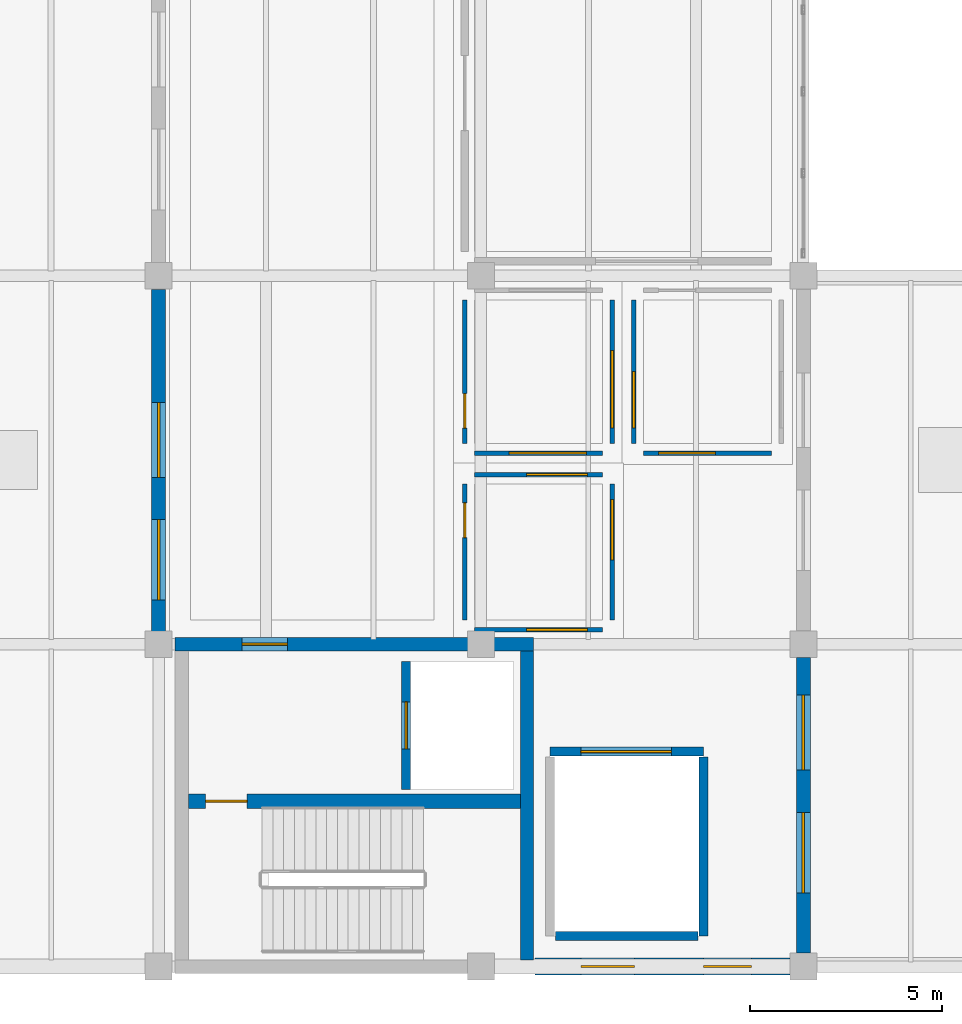
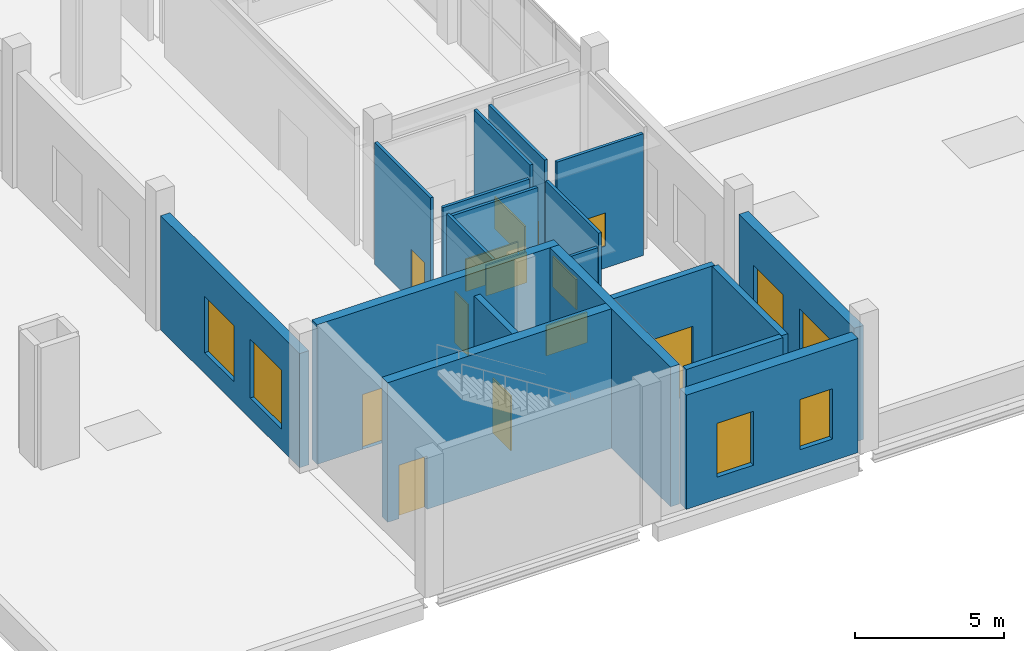
# One storey, part 40 of 49: 19 walls, 13 windows, 6 doors, 19 openings.
"""IFC4 building model written with IfcOpenShell, lengths in metres."""

from ifc_helpers import new_model, si_unit, direction, frame, frame_2d, origin, place, context, subcontext, project, spatial, rectangle, extrude, material, layer, layer_set, type_object, element, fill, save


model = new_model("IFC4")

# Units and contexts
model_context = context("Model", 3, precision=1e-05, world=origin(), true_north=direction((0.0, 1.0)))
body_context = subcontext(model_context, "Body", "Model", "MODEL_VIEW")
ifc_project = project(units=[si_unit("LENGTHUNIT", "METRE"), si_unit("AREAUNIT", "SQUARE_METRE"), si_unit("VOLUMEUNIT", "CUBIC_METRE"), si_unit("PLANEANGLEUNIT", "RADIAN"), si_unit("MASSUNIT", "GRAM", prefix="KILO")], contexts=[model_context])

# Site, building, storey
site_placement = place(None, origin())
site = spatial("IfcSite", under=ifc_project, at=site_placement, CompositionType="ELEMENT")
building_placement = place(site_placement, origin())
building = spatial("IfcBuilding", under=site, at=building_placement, Name="Zulmaris Art Gallery", CompositionType="ELEMENT")
storey_placement = place(building_placement, frame((0.0, 0.0, 20.699951171875)))
storey = spatial("IfcBuildingStorey", under=building, at=storey_placement, Name="L04", CompositionType="ELEMENT", Elevation=20.699951171875)

# Wall, openings, windows
ifc_material_1 = material(Name="Omani Cream Limestone Ashlar Masonry", Category="masonry")
ifc_layer_1 = layer(ifc_material_1, 0.43994140625)
ifc_layer_set_1 = layer_set([ifc_layer_1], Name="Omani Cream Limestone Ashlar Masonry")
wall_type_1 = type_object("IfcWallType", Name="ENV-WALL-EW01", PredefinedType="SOLIDWALL", material=ifc_layer_set_1)
wall_1_placement = place(storey_placement, frame((151.412109375, 13.199951171875, 0.0), z_axis=(0.0, 0.0, 1.0), x_axis=(1.0, 0.0, 0.0)))
wall_1 = element("IfcWall", 1, at=wall_1_placement, inside=storey, type_object=wall_type_1, Name="L04 V5 South Facade Bay 1", PredefinedType="SOLIDWALL", context=body_context, shape_type="SweptSolid", body=[
    extrude(rectangle(XDim=6.635986328125, YDim=0.43994140625, at=frame_2d((3.31787109375, 0.0))), origin(), (0.0, 0.0, 1.0), 4.66015625),
])
opening_1_placement = place(wall_1_placement, frame((1.18798828125, 0.0, 0.89990234375)))
opening_1 = element("IfcOpeningElement", 2, at=opening_1_placement, cuts=wall_1, Name="Opening W04", PredefinedType="OPENING", context=body_context, shape_type="SweptSolid", body=[
    extrude(rectangle(XDim=1.39990234375, YDim=2.199951171875, at=frame_2d((0.699951171875, 1.10009765625))), frame((0.0, 0.22998046875, 0.0), z_axis=(0.0, -1.0, 0.0), x_axis=(1.0, 0.0, 0.0)), (0.0, 0.0, 1.0), 0.4599609375),
])
opening_2_placement = place(wall_1_placement, frame((4.387939453125, 0.0, 0.89990234375)))
opening_2 = element("IfcOpeningElement", 3, at=opening_2_placement, cuts=wall_1, Name="Opening W10", PredefinedType="OPENING", context=body_context, shape_type="SweptSolid", body=[
    extrude(rectangle(XDim=1.25, YDim=2.050048828125, at=frame_2d((0.625, 1.02490234375))), frame((0.0, 0.22998046875, 0.0), z_axis=(0.0, -1.0, 0.0), x_axis=(1.0, 0.0, 0.0)), (0.0, 0.0, 1.0), 0.4599609375),
])
ifc_material_2 = material(Name="Deep-Reveal Limestone Slot Window", Category="masonry")
window_type_1 = type_object("IfcWindowType", Name="WIN-W04", PartitioningType="SINGLE_PANEL", PredefinedType="WINDOW", material=ifc_material_2)
window_1_placement = place(opening_1_placement, origin())
window_1 = element("IfcWindow", 4, at=window_1_placement, inside=storey, type_object=window_type_1, Name="L04 exterior window W04", OverallHeight=2.199951171875, OverallWidth=1.39990234375, PartitioningType="SINGLE_PANEL", PredefinedType="WINDOW", context=body_context, shape_type="SweptSolid", body=[
    extrude(rectangle(XDim=1.39990234375, YDim=2.199951171875, at=frame_2d((0.699951171875, 1.10009765625))), frame((0.0, 0.030029296875, 0.0), z_axis=(0.0, -1.0, 0.0), x_axis=(1.0, 0.0, 0.0)), (0.0, 0.0, 1.0), 0.06005859375),
])
fill(opening_1, window_1)
ifc_material_3 = material(Name="Limestone Deep-Set Lancet Window", Category="masonry")
window_type_2 = type_object("IfcWindowType", Name="WIN-W10", PartitioningType="SINGLE_PANEL", PredefinedType="WINDOW", material=ifc_material_3)
window_2_placement = place(opening_2_placement, origin())
window_2 = element("IfcWindow", 5, at=window_2_placement, inside=storey, type_object=window_type_2, Name="L04 exterior window W10", OverallHeight=2.050048828125, OverallWidth=1.25, PartitioningType="SINGLE_PANEL", PredefinedType="WINDOW", context=body_context, shape_type="SweptSolid", body=[
    extrude(rectangle(XDim=1.25, YDim=2.050048828125, at=frame_2d((0.625, 1.02490234375))), frame((0.0, 0.030029296875, 0.0), z_axis=(0.0, -1.0, 0.0), x_axis=(1.0, 0.0, 0.0)), (0.0, 0.0, 1.0), 0.06005859375),
])
fill(opening_2, window_2)

ifc_material_4 = material(Name="Honed Omani Travertine Insulated Wall", Category="masonry")
ifc_layer_2 = layer(ifc_material_4, 0.360107421875)
ifc_layer_set_2 = layer_set([ifc_layer_2], Name="Honed Omani Travertine Insulated Wall")
wall_type_2 = type_object("IfcWallType", Name="ENV-WALL-EW03", PredefinedType="SOLIDWALL", material=ifc_layer_set_2)
wall_2_placement = place(storey_placement, frame((158.39990234375, 13.552001953125, 0.0), z_axis=(0.0, 0.0, 1.0), x_axis=(0.0, 1.0, 0.0)))
wall_2 = element("IfcWall", 6, at=wall_2_placement, inside=storey, type_object=wall_type_2, Name="L04 V5 Stepped East Studio Wall", PredefinedType="SOLIDWALL", context=body_context, shape_type="SweptSolid", body=[
    extrude(rectangle(XDim=7.696044921875, YDim=0.360107421875, at=frame_2d((3.84814453125, 0.0))), origin(), (0.0, 0.0, 1.0), 4.66015625),
])
opening_3_placement = place(wall_2_placement, frame((1.568115234375, 0.0, 0.85009765625)))
opening_3 = element("IfcOpeningElement", 7, at=opening_3_placement, cuts=wall_2, Name="Opening W03", PredefinedType="OPENING", context=body_context, shape_type="SweptSolid", body=[
    extrude(rectangle(XDim=2.10009765625, YDim=2.39990234375, at=frame_2d((1.050048828125, 1.199951171875))), frame((0.0, 0.18994140625, 0.0), z_axis=(0.0, -1.0, 0.0), x_axis=(1.0, 0.0, 0.0)), (0.0, 0.0, 1.0), 0.380126953125),
])
opening_4_placement = place(wall_2_placement, frame((4.76806640625, 0.0, 0.85009765625)))
opening_4 = element("IfcOpeningElement", 8, at=opening_4_placement, cuts=wall_2, Name="Opening W08", PredefinedType="OPENING", context=body_context, shape_type="SweptSolid", body=[
    extrude(rectangle(XDim=1.949951171875, YDim=2.300048828125, at=frame_2d((0.97509765625, 1.14990234375))), frame((0.0, 0.18994140625, 0.0), z_axis=(0.0, -1.0, 0.0), x_axis=(1.0, 0.0, 0.0)), (0.0, 0.0, 1.0), 0.380126953125),
])
ifc_material_5 = material(Name="Double-Glazed Bronze-Framed Studio Window", Category="glass")
window_type_3 = type_object("IfcWindowType", Name="WIN-W03", PartitioningType="SINGLE_PANEL", PredefinedType="WINDOW", material=ifc_material_5)
window_3_placement = place(opening_3_placement, origin())
window_3 = element("IfcWindow", 9, at=window_3_placement, inside=storey, type_object=window_type_3, Name="L04 exterior window W03", OverallHeight=2.39990234375, OverallWidth=2.10009765625, PartitioningType="SINGLE_PANEL", PredefinedType="WINDOW", context=body_context, shape_type="SweptSolid", body=[
    extrude(rectangle(XDim=2.10009765625, YDim=2.39990234375, at=frame_2d((1.050048828125, 1.199951171875))), frame((0.0, 0.030029296875, 0.0), z_axis=(0.0, -1.0, 0.0), x_axis=(1.0, 0.0, 0.0)), (0.0, 0.0, 1.0), 0.06005859375),
])
fill(opening_3, window_3)
ifc_material_6 = material(Name="Curatorial North Studio Window", Category="glass")
window_type_4 = type_object("IfcWindowType", Name="WIN-W08", PartitioningType="SINGLE_PANEL", PredefinedType="WINDOW", material=ifc_material_6)
window_4_placement = place(opening_4_placement, origin())
window_4 = element("IfcWindow", 10, at=window_4_placement, inside=storey, type_object=window_type_4, Name="L04 exterior window W08", OverallHeight=2.300048828125, OverallWidth=1.949951171875, PartitioningType="SINGLE_PANEL", PredefinedType="WINDOW", context=body_context, shape_type="SweptSolid", body=[
    extrude(rectangle(XDim=1.949951171875, YDim=2.300048828125, at=frame_2d((0.97509765625, 1.14990234375))), frame((0.0, 0.030029296875, 0.0), z_axis=(0.0, -1.0, 0.0), x_axis=(1.0, 0.0, 0.0)), (0.0, 0.0, 1.0), 0.06005859375),
])
fill(opening_4, window_4)

wall_3_placement = place(storey_placement, frame((141.60009765625, 21.550048828125, 0.0), z_axis=(0.0, 0.0, 1.0), x_axis=(0.0, 1.0, 0.0)))
wall_3 = element("IfcWall", 11, at=wall_3_placement, inside=storey, type_object=wall_type_2, Name="L04 V5 Upper West Overlook Facade", PredefinedType="SOLIDWALL", context=body_context, shape_type="SweptSolid", body=[
    extrude(rectangle(XDim=9.2978515625, YDim=0.360107421875, at=frame_2d((4.64892578125, 0.0))), origin(), (0.0, 0.0, 1.0), 4.66015625),
])
opening_5_placement = place(wall_3_placement, frame((1.199951171875, 0.0, 0.85009765625)))
opening_5 = element("IfcOpeningElement", 12, at=opening_5_placement, cuts=wall_3, Name="Opening W03", PredefinedType="OPENING", context=body_context, shape_type="SweptSolid", body=[
    extrude(rectangle(XDim=2.10009765625, YDim=2.39990234375, at=frame_2d((1.050048828125, 1.199951171875))), frame((0.0, 0.18994140625, 0.0), z_axis=(0.0, -1.0, 0.0), x_axis=(1.0, 0.0, 0.0)), (0.0, 0.0, 1.0), 0.380126953125),
])
opening_6_placement = place(wall_3_placement, frame((4.39990234375, 0.0, 0.85009765625)))
opening_6 = element("IfcOpeningElement", 13, at=opening_6_placement, cuts=wall_3, Name="Opening W08", PredefinedType="OPENING", context=body_context, shape_type="SweptSolid", body=[
    extrude(rectangle(XDim=1.949951171875, YDim=2.300048828125, at=frame_2d((0.97509765625, 1.14990234375))), frame((0.0, 0.18994140625, 0.0), z_axis=(0.0, -1.0, 0.0), x_axis=(1.0, 0.0, 0.0)), (0.0, 0.0, 1.0), 0.380126953125),
])
window_5_placement = place(opening_5_placement, origin())
window_5 = element("IfcWindow", 14, at=window_5_placement, inside=storey, type_object=window_type_3, Name="L04 exterior window W03", OverallHeight=2.39990234375, OverallWidth=2.10009765625, PartitioningType="SINGLE_PANEL", PredefinedType="WINDOW", context=body_context, shape_type="SweptSolid", body=[
    extrude(rectangle(XDim=2.10009765625, YDim=2.39990234375, at=frame_2d((1.050048828125, 1.199951171875))), frame((0.0, 0.030029296875, 0.0), z_axis=(0.0, -1.0, 0.0), x_axis=(1.0, 0.0, 0.0)), (0.0, 0.0, 1.0), 0.06005859375),
])
fill(opening_5, window_5)
window_6_placement = place(opening_6_placement, origin())
window_6 = element("IfcWindow", 15, at=window_6_placement, inside=storey, type_object=window_type_4, Name="L04 exterior window W08", OverallHeight=2.300048828125, OverallWidth=1.949951171875, PartitioningType="SINGLE_PANEL", PredefinedType="WINDOW", context=body_context, shape_type="SweptSolid", body=[
    extrude(rectangle(XDim=1.949951171875, YDim=2.300048828125, at=frame_2d((0.97509765625, 1.14990234375))), frame((0.0, 0.030029296875, 0.0), z_axis=(0.0, -1.0, 0.0), x_axis=(1.0, 0.0, 0.0)), (0.0, 0.0, 1.0), 0.06005859375),
])
fill(opening_6, window_6)

# Wall, opening, door
ifc_material_7 = material(Name="Moisture-Resistant Tile-Backer Wet Wall", Category="gypsum")
ifc_layer_3 = layer(ifc_material_7, 0.114990234375)
ifc_layer_set_3 = layer_set([ifc_layer_3], Name="Moisture-Resistant Tile-Backer Wet Wall")
wall_type_3 = type_object("IfcWallType", Name="IWALL-PW02", PredefinedType="PARTITIONING", material=ifc_layer_set_3)
wall_4_placement = place(storey_placement, frame((149.580078125, 22.22998046875, 0.0), z_axis=(0.0, 0.0, 1.0), x_axis=(0.0, 1.0, 0.0)))
wall_4 = element("IfcWall", 16, at=wall_4_placement, inside=storey, type_object=wall_type_3, Name="Level 04 Male WC & Shower W partition", PredefinedType="PARTITIONING", context=body_context, shape_type="SweptSolid", body=[
    extrude(rectangle(XDim=3.5400390625, YDim=0.114990234375, at=frame_2d((1.77001953125, 0.0))), origin(), (0.0, 0.0, 1.0), 4.97998046875),
])
opening_7_placement = place(wall_4_placement, frame((2.14990234375, 0.0, 0.0)))
opening_7 = element("IfcOpeningElement", 17, at=opening_7_placement, cuts=wall_4, Name="Opening D01", PredefinedType="OPENING", context=body_context, shape_type="SweptSolid", body=[
    extrude(rectangle(XDim=0.89990234375, YDim=2.10009765625, at=frame_2d((0.449951171875, 1.050048828125))), frame((0.0, 0.0673828125, 0.0), z_axis=(0.0, -1.0, 0.0), x_axis=(1.0, 0.0, 0.0)), (0.0, 0.0, 1.0), 0.135009765625),
])
ifc_material_8 = material(Name="Moisture-Resistant WC Door", Category="timber")
door_type_1 = type_object("IfcDoorType", Name="IDOOR-D01", OperationType="NOTDEFINED", PredefinedType="DOOR", material=ifc_material_8)
door_1_placement = place(opening_7_placement, origin())
door_1 = element("IfcDoor", 18, at=door_1_placement, inside=storey, type_object=door_type_1, Name="Level 04 Male WC & Shower Door", OperationType="SINGLE_SWING_LEFT", OverallHeight=2.10009765625, OverallWidth=0.89990234375, PredefinedType="DOOR", context=body_context, shape_type="SweptSolid", body=[
    extrude(rectangle(XDim=0.89990234375, YDim=2.10009765625, at=frame_2d((0.449951171875, 1.050048828125))), frame((0.0, 0.02490234375, 0.0), z_axis=(0.0, -1.0, 0.0), x_axis=(1.0, 0.0, 0.0)), (0.0, 0.0, 1.0), 0.050048828125),
])
fill(opening_7, door_1)

# Wall, opening, window
wall_5_placement = place(storey_placement, frame((149.830078125, 21.97998046875, 0.0), z_axis=(0.0, 0.0, 1.0), x_axis=(1.0, 0.0, 0.0)))
wall_5 = element("IfcWall", 19, at=wall_5_placement, inside=storey, type_object=wall_type_3, Name="Level 04 Male WC & Shower S partition", PredefinedType="PARTITIONING", context=body_context, shape_type="SweptSolid", body=[
    extrude(rectangle(XDim=3.33984375, YDim=0.114990234375, at=frame_2d((1.669921875, 0.0))), origin(), (0.0, 0.0, 1.0), 4.66015625),
])
opening_8_placement = place(wall_5_placement, frame((1.360107421875, 0.0, 0.89990234375)))
opening_8 = element("IfcOpeningElement", 20, at=opening_8_placement, cuts=wall_5, Name="Opening IW09", PredefinedType="OPENING", context=body_context, shape_type="SweptSolid", body=[
    extrude(rectangle(XDim=1.580078125, YDim=1.239990234375, at=frame_2d((0.7900390625, 0.6201171875))), frame((0.0, 0.0673828125, 0.0), z_axis=(0.0, -1.0, 0.0), x_axis=(1.0, 0.0, 0.0)), (0.0, 0.0, 1.0), 0.135009765625),
])
ifc_material_9 = material(Name="Registrar Inspection Glazing", Category="glass")
window_type_5 = type_object("IfcWindowType", Name="IWIN-IW09", PartitioningType="SINGLE_PANEL", PredefinedType="WINDOW", material=ifc_material_9)
window_7_placement = place(opening_8_placement, origin())
window_7 = element("IfcWindow", 21, at=window_7_placement, inside=storey, type_object=window_type_5, Name="L04 interior observation window IW09", OverallHeight=1.239990234375, OverallWidth=1.580078125, PartitioningType="SINGLE_PANEL", PredefinedType="WINDOW", context=body_context, shape_type="SweptSolid", body=[
    extrude(rectangle(XDim=1.580078125, YDim=1.239990234375, at=frame_2d((0.7900390625, 0.6201171875))), frame((0.0, 0.030029296875, 0.0), z_axis=(0.0, -1.0, 0.0), x_axis=(1.0, 0.0, 0.0)), (0.0, 0.0, 1.0), 0.06005859375),
])
fill(opening_8, window_7)

wall_6_placement = place(storey_placement, frame((149.830078125, 26.02001953125, 0.0), z_axis=(0.0, 0.0, 1.0), x_axis=(1.0, 0.0, 0.0)))
wall_6 = element("IfcWall", 22, at=wall_6_placement, inside=storey, type_object=wall_type_3, Name="Level 04 Male WC & Shower N partition", PredefinedType="PARTITIONING", context=body_context, shape_type="SweptSolid", body=[
    extrude(rectangle(XDim=3.33984375, YDim=0.114990234375, at=frame_2d((1.669921875, 0.0))), origin(), (0.0, 0.0, 1.0), 4.66015625),
])
opening_9_placement = place(wall_6_placement, frame((1.360107421875, 0.0, 0.89990234375)))
opening_9 = element("IfcOpeningElement", 23, at=opening_9_placement, cuts=wall_6, Name="Opening IW09", PredefinedType="OPENING", context=body_context, shape_type="SweptSolid", body=[
    extrude(rectangle(XDim=1.580078125, YDim=1.239990234375, at=frame_2d((0.7900390625, 0.6201171875))), frame((0.0, 0.0673828125, 0.0), z_axis=(0.0, -1.0, 0.0), x_axis=(1.0, 0.0, 0.0)), (0.0, 0.0, 1.0), 0.135009765625),
])
window_8_placement = place(opening_9_placement, origin())
window_8 = element("IfcWindow", 24, at=window_8_placement, inside=storey, type_object=window_type_5, Name="L04 interior observation window IW09", OverallHeight=1.239990234375, OverallWidth=1.580078125, PartitioningType="SINGLE_PANEL", PredefinedType="WINDOW", context=body_context, shape_type="SweptSolid", body=[
    extrude(rectangle(XDim=1.580078125, YDim=1.239990234375, at=frame_2d((0.7900390625, 0.6201171875))), frame((0.0, 0.030029296875, 0.0), z_axis=(0.0, -1.0, 0.0), x_axis=(1.0, 0.0, 0.0)), (0.0, 0.0, 1.0), 0.06005859375),
])
fill(opening_9, window_8)

wall_7_placement = place(storey_placement, frame((153.419921875, 22.22998046875, 0.0), z_axis=(0.0, 0.0, 1.0), x_axis=(0.0, 1.0, 0.0)))
wall_7 = element("IfcWall", 25, at=wall_7_placement, inside=storey, type_object=wall_type_3, Name="Level 04 Male WC & Shower E partition", PredefinedType="PARTITIONING", context=body_context, shape_type="SweptSolid", body=[
    extrude(rectangle(XDim=3.5400390625, YDim=0.114990234375, at=frame_2d((1.77001953125, 0.0))), origin(), (0.0, 0.0, 1.0), 4.97998046875),
])
opening_10_placement = place(wall_7_placement, frame((1.56005859375, 0.0, 0.89990234375)))
opening_10 = element("IfcOpeningElement", 26, at=opening_10_placement, cuts=wall_7, Name="Opening IW09", PredefinedType="OPENING", context=body_context, shape_type="SweptSolid", body=[
    extrude(rectangle(XDim=1.580078125, YDim=1.239990234375, at=frame_2d((0.7900390625, 0.6201171875))), frame((0.0, 0.0673828125, 0.0), z_axis=(0.0, -1.0, 0.0), x_axis=(1.0, 0.0, 0.0)), (0.0, 0.0, 1.0), 0.135009765625),
])
window_9_placement = place(opening_10_placement, origin())
window_9 = element("IfcWindow", 27, at=window_9_placement, inside=storey, type_object=window_type_5, Name="L04 interior observation window IW09", OverallHeight=1.239990234375, OverallWidth=1.580078125, PartitioningType="SINGLE_PANEL", PredefinedType="WINDOW", context=body_context, shape_type="SweptSolid", body=[
    extrude(rectangle(XDim=1.580078125, YDim=1.239990234375, at=frame_2d((0.7900390625, 0.6201171875))), frame((0.0, 0.030029296875, 0.0), z_axis=(0.0, -1.0, 0.0), x_axis=(1.0, 0.0, 0.0)), (0.0, 0.0, 1.0), 0.06005859375),
])
fill(opening_10, window_9)

# Wall, opening, door
wall_8_placement = place(storey_placement, frame((149.580078125, 26.830078125, 0.0), z_axis=(0.0, 0.0, 1.0), x_axis=(0.0, 1.0, 0.0)))
wall_8 = element("IfcWall", 28, at=wall_8_placement, inside=storey, type_object=wall_type_3, Name="Level 04 Female WC & Shower W partition", PredefinedType="PARTITIONING", context=body_context, shape_type="SweptSolid", body=[
    extrude(rectangle(XDim=3.739990234375, YDim=0.114990234375, at=frame_2d((1.8701171875, 0.0))), origin(), (0.0, 0.0, 1.0), 4.97998046875),
])
opening_11_placement = place(wall_8_placement, frame((0.39990234375, 0.0, 0.0)))
opening_11 = element("IfcOpeningElement", 29, at=opening_11_placement, cuts=wall_8, Name="Opening D01", PredefinedType="OPENING", context=body_context, shape_type="SweptSolid", body=[
    extrude(rectangle(XDim=0.89990234375, YDim=2.10009765625, at=frame_2d((0.449951171875, 1.050048828125))), frame((0.0, 0.0673828125, 0.0), z_axis=(0.0, -1.0, 0.0), x_axis=(1.0, 0.0, 0.0)), (0.0, 0.0, 1.0), 0.135009765625),
])
door_2_placement = place(opening_11_placement, origin())
door_2 = element("IfcDoor", 30, at=door_2_placement, inside=storey, type_object=door_type_1, Name="Level 04 Female WC & Shower Door", OperationType="SINGLE_SWING_RIGHT", OverallHeight=2.10009765625, OverallWidth=0.89990234375, PredefinedType="DOOR", context=body_context, shape_type="SweptSolid", body=[
    extrude(rectangle(XDim=0.89990234375, YDim=2.10009765625, at=frame_2d((0.449951171875, 1.050048828125))), frame((0.0, 0.02490234375, 0.0), z_axis=(0.0, -1.0, 0.0), x_axis=(1.0, 0.0, 0.0)), (0.0, 0.0, 1.0), 0.050048828125),
])
fill(opening_11, door_2)

# Wall, opening, window
wall_9_placement = place(storey_placement, frame((149.830078125, 26.580078125, 0.0), z_axis=(0.0, 0.0, 1.0), x_axis=(1.0, 0.0, 0.0)))
wall_9 = element("IfcWall", 31, at=wall_9_placement, inside=storey, type_object=wall_type_3, Name="Level 04 Female WC & Shower S partition", PredefinedType="PARTITIONING", context=body_context, shape_type="SweptSolid", body=[
    extrude(rectangle(XDim=3.33984375, YDim=0.114990234375, at=frame_2d((1.669921875, 0.0))), origin(), (0.0, 0.0, 1.0), 4.66015625),
])
opening_12_placement = place(wall_9_placement, frame((0.89990234375, 0.0, 0.89990234375)))
opening_12 = element("IfcOpeningElement", 32, at=opening_12_placement, cuts=wall_9, Name="Opening IW10", PredefinedType="OPENING", context=body_context, shape_type="SweptSolid", body=[
    extrude(rectangle(XDim=2.02001953125, YDim=1.320068359375, at=frame_2d((1.010009765625, 0.66015625))), frame((0.0, 0.0673828125, 0.0), z_axis=(0.0, -1.0, 0.0), x_axis=(1.0, 0.0, 0.0)), (0.0, 0.0, 1.0), 0.135009765625),
])
ifc_material_10 = material(Name="Seminar Acoustic Viewing Window", Category="glass")
window_type_6 = type_object("IfcWindowType", Name="IWIN-IW10", PartitioningType="SINGLE_PANEL", PredefinedType="WINDOW", material=ifc_material_10)
window_10_placement = place(opening_12_placement, origin())
window_10 = element("IfcWindow", 33, at=window_10_placement, inside=storey, type_object=window_type_6, Name="L04 interior observation window IW10", OverallHeight=1.320068359375, OverallWidth=2.02001953125, PartitioningType="SINGLE_PANEL", PredefinedType="WINDOW", context=body_context, shape_type="SweptSolid", body=[
    extrude(rectangle(XDim=2.02001953125, YDim=1.320068359375, at=frame_2d((1.010009765625, 0.66015625))), frame((0.0, 0.030029296875, 0.0), z_axis=(0.0, -1.0, 0.0), x_axis=(1.0, 0.0, 0.0)), (0.0, 0.0, 1.0), 0.06005859375),
])
fill(opening_12, window_10)

wall_10_placement = place(storey_placement, frame((153.419921875, 26.830078125, 0.0), z_axis=(0.0, 0.0, 1.0), x_axis=(0.0, 1.0, 0.0)))
wall_10 = element("IfcWall", 34, at=wall_10_placement, inside=storey, type_object=wall_type_3, Name="Level 04 Female WC & Shower E partition", PredefinedType="PARTITIONING", context=body_context, shape_type="SweptSolid", body=[
    extrude(rectangle(XDim=3.739990234375, YDim=0.114990234375, at=frame_2d((1.8701171875, 0.0))), origin(), (0.0, 0.0, 1.0), 4.97998046875),
])
opening_13_placement = place(wall_10_placement, frame((0.39990234375, 0.0, 0.89990234375)))
opening_13 = element("IfcOpeningElement", 35, at=opening_13_placement, cuts=wall_10, Name="Opening IW10", PredefinedType="OPENING", context=body_context, shape_type="SweptSolid", body=[
    extrude(rectangle(XDim=2.02001953125, YDim=1.320068359375, at=frame_2d((1.010009765625, 0.66015625))), frame((0.0, 0.0673828125, 0.0), z_axis=(0.0, -1.0, 0.0), x_axis=(1.0, 0.0, 0.0)), (0.0, 0.0, 1.0), 0.135009765625),
])
window_11_placement = place(opening_13_placement, origin())
window_11 = element("IfcWindow", 36, at=window_11_placement, inside=storey, type_object=window_type_6, Name="L04 interior observation window IW10", OverallHeight=1.320068359375, OverallWidth=2.02001953125, PartitioningType="SINGLE_PANEL", PredefinedType="WINDOW", context=body_context, shape_type="SweptSolid", body=[
    extrude(rectangle(XDim=2.02001953125, YDim=1.320068359375, at=frame_2d((1.010009765625, 0.66015625))), frame((0.0, 0.030029296875, 0.0), z_axis=(0.0, -1.0, 0.0), x_axis=(1.0, 0.0, 0.0)), (0.0, 0.0, 1.0), 0.06005859375),
])
fill(opening_13, window_11)

wall_11_placement = place(storey_placement, frame((154.22998046875, 26.580078125, 0.0), z_axis=(0.0, 0.0, 1.0), x_axis=(1.0, 0.0, 0.0)))
wall_11 = element("IfcWall", 37, at=wall_11_placement, inside=storey, type_object=wall_type_3, Name="Level 04 Accessible WC S partition", PredefinedType="PARTITIONING", context=body_context, shape_type="SweptSolid", body=[
    extrude(rectangle(XDim=3.340087890625, YDim=0.114990234375, at=frame_2d((1.669921875, 0.0))), origin(), (0.0, 0.0, 1.0), 4.97998046875),
])
opening_14_placement = place(wall_11_placement, frame((0.39990234375, 0.0, 0.89990234375)))
opening_14 = element("IfcOpeningElement", 38, at=opening_14_placement, cuts=wall_11, Name="Opening IW01", PredefinedType="OPENING", context=body_context, shape_type="SweptSolid", body=[
    extrude(rectangle(XDim=1.47998046875, YDim=1.35009765625, at=frame_2d((0.739990234375, 0.675048828125))), frame((0.0, 0.0673828125, 0.0), z_axis=(0.0, -1.0, 0.0), x_axis=(1.0, 0.0, 0.0)), (0.0, 0.0, 1.0), 0.135009765625),
])
ifc_material_11 = material(Name="Conservation Studio Viewing Window", Category="glass")
window_type_7 = type_object("IfcWindowType", Name="IWIN-IW01", PartitioningType="SINGLE_PANEL", PredefinedType="WINDOW", material=ifc_material_11)
window_12_placement = place(opening_14_placement, origin())
window_12 = element("IfcWindow", 39, at=window_12_placement, inside=storey, type_object=window_type_7, Name="L04 interior observation window IW01", OverallHeight=1.35009765625, OverallWidth=1.47998046875, PartitioningType="SINGLE_PANEL", PredefinedType="WINDOW", context=body_context, shape_type="SweptSolid", body=[
    extrude(rectangle(XDim=1.47998046875, YDim=1.35009765625, at=frame_2d((0.739990234375, 0.675048828125))), frame((0.0, 0.030029296875, 0.0), z_axis=(0.0, -1.0, 0.0), x_axis=(1.0, 0.0, 0.0)), (0.0, 0.0, 1.0), 0.06005859375),
])
fill(opening_14, window_12)

wall_12_placement = place(storey_placement, frame((153.97998046875, 26.830078125, 0.0), z_axis=(0.0, 0.0, 1.0), x_axis=(0.0, 1.0, 0.0)))
wall_12 = element("IfcWall", 40, at=wall_12_placement, inside=storey, type_object=wall_type_3, Name="Level 04 Accessible WC W partition", PredefinedType="PARTITIONING", context=body_context, shape_type="SweptSolid", body=[
    extrude(rectangle(XDim=3.739990234375, YDim=0.114990234375, at=frame_2d((1.8701171875, 0.0))), origin(), (0.0, 0.0, 1.0), 4.97998046875),
])
opening_15_placement = place(wall_12_placement, frame((0.39990234375, 0.0, 0.89990234375)))
opening_15 = element("IfcOpeningElement", 41, at=opening_15_placement, cuts=wall_12, Name="Opening IW01", PredefinedType="OPENING", context=body_context, shape_type="SweptSolid", body=[
    extrude(rectangle(XDim=1.47998046875, YDim=1.35009765625, at=frame_2d((0.739990234375, 0.675048828125))), frame((0.0, 0.0673828125, 0.0), z_axis=(0.0, -1.0, 0.0), x_axis=(1.0, 0.0, 0.0)), (0.0, 0.0, 1.0), 0.135009765625),
])
window_13_placement = place(opening_15_placement, origin())
window_13 = element("IfcWindow", 42, at=window_13_placement, inside=storey, type_object=window_type_7, Name="L04 interior observation window IW01", OverallHeight=1.35009765625, OverallWidth=1.47998046875, PartitioningType="SINGLE_PANEL", PredefinedType="WINDOW", context=body_context, shape_type="SweptSolid", body=[
    extrude(rectangle(XDim=1.47998046875, YDim=1.35009765625, at=frame_2d((0.739990234375, 0.675048828125))), frame((0.0, 0.030029296875, 0.0), z_axis=(0.0, -1.0, 0.0), x_axis=(1.0, 0.0, 0.0)), (0.0, 0.0, 1.0), 0.06005859375),
])
fill(opening_15, window_13)

# Wall, opening, door
ifc_material_12 = material(Name="Core Lobby Fire-Resisting Masonry Wall", Category="masonry")
ifc_layer_4 = layer(ifc_material_12, 0.235107421875)
ifc_layer_set_4 = layer_set([ifc_layer_4], Name="Core Lobby Fire-Resisting Masonry Wall")
wall_type_4 = type_object("IfcWallType", Name="IWALL-PW10", PredefinedType="PARTITIONING", material=ifc_layer_set_4)
wall_13_placement = place(storey_placement, frame((148.050048828125, 17.820068359375, 0.0), z_axis=(0.0, 0.0, 1.0), x_axis=(0.0, 1.0, 0.0)))
wall_13 = element("IfcWall", 43, at=wall_13_placement, inside=storey, type_object=wall_type_4, Name="LF-F2 L04 lift shaft front wall", PredefinedType="PARTITIONING", context=body_context, shape_type="SweptSolid", body=[
    extrude(rectangle(XDim=3.329833984375, YDim=0.235107421875, at=frame_2d((1.6650390625, 0.0))), origin(), (0.0, 0.0, 1.0), 4.97998046875),
])
opening_16_placement = place(wall_13_placement, frame((1.054931640625, 0.0, 0.0)))
opening_16 = element("IfcOpeningElement", 44, at=opening_16_placement, cuts=wall_13, Name="Opening LD02", PredefinedType="OPENING", context=body_context, shape_type="SweptSolid", body=[
    extrude(rectangle(XDim=1.219970703125, YDim=2.239990234375, at=frame_2d((0.60986328125, 1.1201171875))), frame((0.0, 0.12744140625, 0.0), z_axis=(0.0, -1.0, 0.0), x_axis=(1.0, 0.0, 0.0)), (0.0, 0.0, 1.0), 0.255126953125),
])
ifc_material_13 = material(Name="Firefighting Lift Sliding Landing Door", Category="steel")
door_type_2 = type_object("IfcDoorType", Name="IDOOR-LD02", OperationType="SLIDING_TO_RIGHT", PredefinedType="DOOR", material=ifc_material_13)
door_3_placement = place(opening_16_placement, origin())
door_3 = element("IfcDoor", 45, at=door_3_placement, inside=storey, type_object=door_type_2, Name="LF-F2 L04 Lift Landing Sliding Door", OperationType="SLIDING_TO_RIGHT", OverallHeight=2.239990234375, OverallWidth=1.219970703125, PredefinedType="DOOR", context=body_context, shape_type="SweptSolid", body=[
    extrude(rectangle(XDim=1.219970703125, YDim=2.239990234375, at=frame_2d((0.60986328125, 1.1201171875))), frame((0.0, 0.02490234375, 0.0), z_axis=(0.0, -1.0, 0.0), x_axis=(1.0, 0.0, 0.0)), (0.0, 0.0, 1.0), 0.050048828125),
])
fill(opening_16, door_3)

wall_14_placement = place(storey_placement, frame((151.800048828125, 18.800048828125, 0.0), z_axis=(0.0, 0.0, 1.0), x_axis=(1.0, 0.0, 0.0)))
wall_14 = element("IfcWall", 46, at=wall_14_placement, inside=storey, type_object=wall_type_4, Name="Goods Lift L04 north shaft wall", PredefinedType="PARTITIONING", context=body_context, shape_type="SweptSolid", body=[
    extrude(rectangle(XDim=4.0, YDim=0.235107421875, at=frame_2d((2.0, 0.0))), origin(), (0.0, 0.0, 1.0), 4.97998046875),
])
opening_17_placement = place(wall_14_placement, frame((0.800048828125, 0.0, 0.0)))
opening_17 = element("IfcOpeningElement", 47, at=opening_17_placement, cuts=wall_14, Name="Opening LD03", PredefinedType="OPENING", context=body_context, shape_type="SweptSolid", body=[
    extrude(rectangle(XDim=2.360107421875, YDim=2.780029296875, at=frame_2d((1.18017578125, 1.39013671875))), frame((0.0, 0.12744140625, 0.0), z_axis=(0.0, -1.0, 0.0), x_axis=(1.0, 0.0, 0.0)), (0.0, 0.0, 1.0), 0.255126953125),
])
ifc_material_14 = material(Name="Goods Lift Oversize Sliding Landing Door", Category="steel")
door_type_3 = type_object("IfcDoorType", Name="IDOOR-LD03", OperationType="SLIDING_TO_LEFT", PredefinedType="DOOR", material=ifc_material_14)
door_4_placement = place(opening_17_placement, origin())
door_4 = element("IfcDoor", 48, at=door_4_placement, inside=storey, type_object=door_type_3, Name="Goods Lift LF-G1 L04 Sliding Landing Door", OperationType="SLIDING_TO_LEFT", OverallHeight=2.780029296875, OverallWidth=2.360107421875, PredefinedType="DOOR", context=body_context, shape_type="SweptSolid", body=[
    extrude(rectangle(XDim=2.360107421875, YDim=2.780029296875, at=frame_2d((1.18017578125, 1.39013671875))), frame((0.0, 0.02490234375, 0.0), z_axis=(0.0, -1.0, 0.0), x_axis=(1.0, 0.0, 0.0)), (0.0, 0.0, 1.0), 0.050048828125),
])
fill(opening_17, door_4)

# Walls
wall_15_placement = place(storey_placement, frame((155.800048828125, 14.0, 0.0), z_axis=(0.0, 0.0, 1.0), x_axis=(0.0, 1.0, 0.0)))
element("IfcWall", 49, at=wall_15_placement, inside=storey, type_object=wall_type_4, Name="Goods Lift L04 east shaft wall", PredefinedType="PARTITIONING", context=body_context, shape_type="SweptSolid", body=[
    extrude(rectangle(XDim=4.659912109375, YDim=0.235107421875, at=frame_2d((2.330078125, 0.0))), origin(), (0.0, 0.0, 1.0), 4.97998046875),
])
wall_16_placement = place(storey_placement, frame((151.93994140625, 14.0, 0.0), z_axis=(0.0, 0.0, 1.0), x_axis=(1.0, 0.0, 0.0)))
element("IfcWall", 50, at=wall_16_placement, inside=storey, type_object=wall_type_4, Name="Goods Lift L04 south shaft wall", PredefinedType="PARTITIONING", context=body_context, shape_type="SweptSolid", body=[
    extrude(rectangle(XDim=3.719970703125, YDim=0.235107421875, at=frame_2d((1.85986328125, 0.0))), origin(), (0.0, 0.0, 1.0), 4.97998046875),
])

# Wall, opening, door
ifc_material_15 = material(Name="Concrete C50/60", Category="concrete")
ifc_layer_5 = layer(ifc_material_15, 0.35009765625)
ifc_layer_set_5 = layer_set([ifc_layer_5], Name="Concrete C50/60")
wall_type_5 = type_object("IfcWallType", Name="STR-WALL-SW01", PredefinedType="SHEAR", material=ifc_layer_set_5)
wall_17_placement = place(storey_placement, frame((142.02490234375, 21.60009765625, 0.0), z_axis=(0.0, 0.0, 1.0), x_axis=(1.0, 0.0, 0.0)))
wall_17 = element("IfcWall", 51, at=wall_17_placement, inside=storey, type_object=wall_type_5, Name="Core C3 L04 N shear wall", PredefinedType="SHEAR", context=body_context, shape_type="SweptSolid", body=[
    extrude(rectangle(XDim=9.35009765625, YDim=0.35009765625, at=frame_2d((4.675048828125, 0.0))), origin(), (0.0, 0.0, 1.0), 5.699951171875),
])
opening_18_placement = place(wall_17_placement, frame((1.75, 0.0, 0.0)))
opening_18 = element("IfcOpeningElement", 52, at=opening_18_placement, cuts=wall_17, Name="Opening D08", PredefinedType="OPENING", context=body_context, shape_type="SweptSolid", body=[
    extrude(rectangle(XDim=1.179931640625, YDim=2.239990234375, at=frame_2d((0.58984375, 1.1201171875))), frame((0.0, 0.18505859375, 0.0), z_axis=(0.0, -1.0, 0.0), x_axis=(1.0, 0.0, 0.0)), (0.0, 0.0, 1.0), 0.3701171875),
])
ifc_material_16 = material(Name="Firefighting Lobby Compartment Door", Category="steel")
door_type_4 = type_object("IfcDoorType", Name="IDOOR-D08", OperationType="NOTDEFINED", PredefinedType="DOOR", material=ifc_material_16)
door_5_placement = place(opening_18_placement, origin())
door_5 = element("IfcDoor", 53, at=door_5_placement, inside=storey, type_object=door_type_4, Name="Core C3 L04 Lobby Compartment Door", OperationType="SINGLE_SWING_RIGHT", OverallHeight=2.239990234375, OverallWidth=1.179931640625, PredefinedType="DOOR", context=body_context, shape_type="SweptSolid", body=[
    extrude(rectangle(XDim=1.179931640625, YDim=2.239990234375, at=frame_2d((0.58984375, 1.1201171875))), frame((0.0, 0.02490234375, 0.0), z_axis=(0.0, -1.0, 0.0), x_axis=(1.0, 0.0, 0.0)), (0.0, 0.0, 1.0), 0.050048828125),
])
fill(opening_18, door_5)

# Wall
wall_18_placement = place(storey_placement, frame((151.199951171875, 13.375, 0.0), z_axis=(0.0, 0.0, 1.0), x_axis=(0.0, 1.0, 0.0)))
element("IfcWall", 54, at=wall_18_placement, inside=storey, type_object=wall_type_5, Name="Core C3 L04 E shear wall", PredefinedType="SHEAR", context=body_context, shape_type="SweptSolid", body=[
    extrude(rectangle(XDim=8.050048828125, YDim=0.35009765625, at=frame_2d((4.02490234375, 0.0))), origin(), (0.0, 0.0, 1.0), 5.699951171875),
])

# Wall, opening, door
ifc_layer_6 = layer(ifc_material_15, 0.3798828125)
ifc_layer_set_6 = layer_set([ifc_layer_6], Name="Concrete C50/60")
wall_type_6 = type_object("IfcWallType", Name="STR-WALL-SW02", PredefinedType="SHEAR", material=ifc_layer_set_6)
wall_19_placement = place(storey_placement, frame((142.375, 17.510009765625, 0.0), z_axis=(0.0, 0.0, 1.0), x_axis=(1.0, 0.0, 0.0)))
wall_19 = element("IfcWall", 55, at=wall_19_placement, inside=storey, type_object=wall_type_6, Name="Core C3 L04 DIV shear wall", PredefinedType="SHEAR", context=body_context, shape_type="SweptSolid", body=[
    extrude(rectangle(XDim=8.64990234375, YDim=0.3798828125, at=frame_2d((4.324951171875, 0.0))), origin(), (0.0, 0.0, 1.0), 5.699951171875),
])
opening_19_placement = place(wall_19_placement, frame((0.449951171875, 0.0, 0.0)))
opening_19 = element("IfcOpeningElement", 56, at=opening_19_placement, cuts=wall_19, Name="Opening D07", PredefinedType="OPENING", context=body_context, shape_type="SweptSolid", body=[
    extrude(rectangle(XDim=1.080078125, YDim=2.179931640625, at=frame_2d((0.5400390625, 1.08984375))), frame((0.0, 0.199951171875, 0.0), z_axis=(0.0, -1.0, 0.0), x_axis=(1.0, 0.0, 0.0)), (0.0, 0.0, 1.0), 0.39990234375),
])
ifc_material_17 = material(Name="Stairwell Fire Escape Door", Category="steel")
door_type_5 = type_object("IfcDoorType", Name="IDOOR-D07", OperationType="NOTDEFINED", PredefinedType="DOOR", material=ifc_material_17)
door_6_placement = place(opening_19_placement, origin())
door_6 = element("IfcDoor", 57, at=door_6_placement, inside=storey, type_object=door_type_5, Name="Core C3 L04 Stair ST3 Fire Door", OperationType="SINGLE_SWING_LEFT", OverallHeight=2.179931640625, OverallWidth=1.080078125, PredefinedType="DOOR", context=body_context, shape_type="SweptSolid", body=[
    extrude(rectangle(XDim=1.080078125, YDim=2.179931640625, at=frame_2d((0.5400390625, 1.08984375))), frame((0.0, 0.02490234375, 0.0), z_axis=(0.0, -1.0, 0.0), x_axis=(1.0, 0.0, 0.0)), (0.0, 0.0, 1.0), 0.050048828125),
])
fill(opening_19, door_6)

save(model, "model.ifc")
